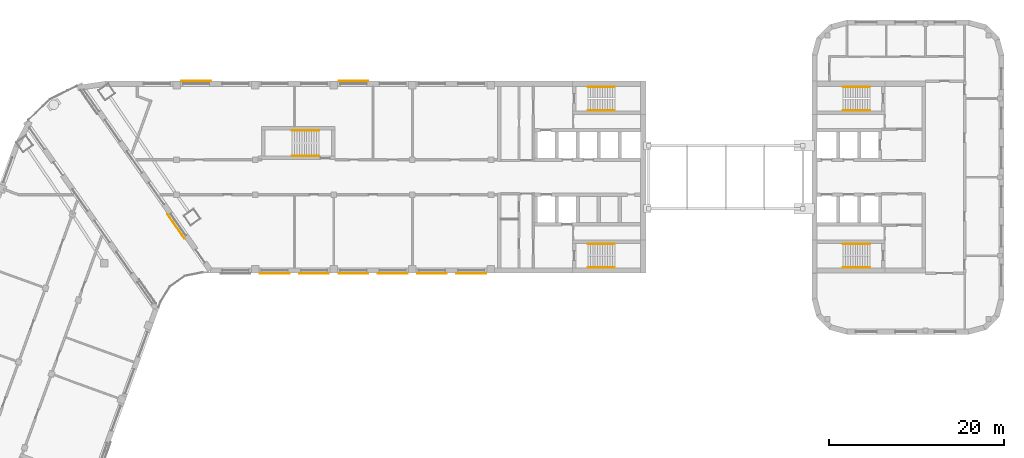
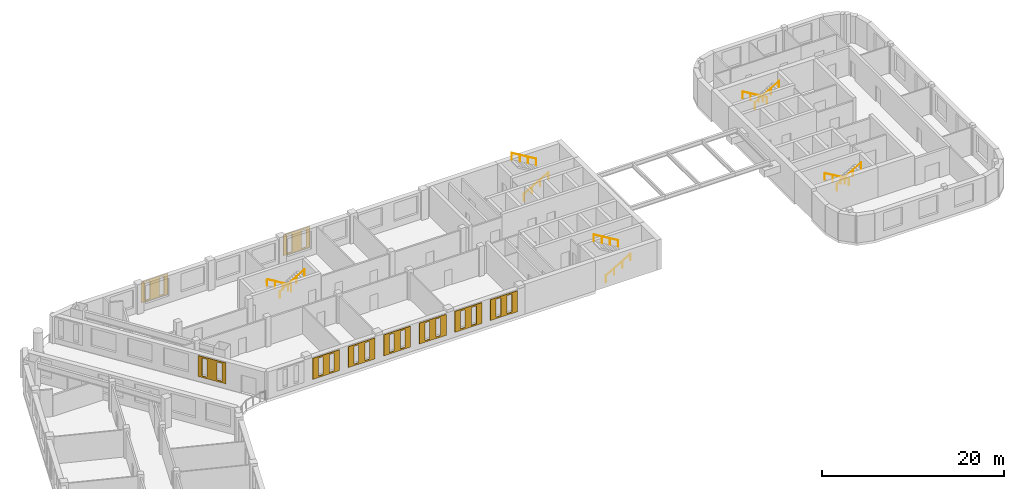
# One storey, part 12 of 14: 10 railings, 9 coverings.
"""IFC4 building model written with IfcOpenShell, lengths in metres."""

import ifcopenshell
import ifcopenshell.guid

model = None  # the IFC model being written
_history = None  # IfcOwnerHistory: only IFC2X3 demands one
_inside = {}  # id of a spatial element -> (the spatial element, [elements in it])
_under = {}  # id of a project, library or spatial element -> (it, [spatial elements below it])
_declared = {}  # id of a project -> (the project, [libraries it declares])
_typed = {}  # id of a type object -> (the type object, [elements of that type])
_made_of = {}  # id of a material, layer set ... -> (it, [elements and type objects made of it])


def new_model(schema):
    """Start an empty IFC model of exactly this schema.

    Asked for "IFC4X3", IfcOpenShell would pick the latest addendum, in which some entities
    have other attributes; the version numbers below select the first issue.
    IFC2X3 requires an IfcOwnerHistory on every rooted entity: one is made here for all.
    """
    global model, _history
    if schema == "IFC4X3":
        model = ifcopenshell.file(schema_version=(4, 3, 0, 0))
    else:
        model = ifcopenshell.file(schema=schema)
    _inside.clear()
    _under.clear()
    _declared.clear()
    _typed.clear()
    _made_of.clear()
    _history = None
    if model.schema == "IFC2X3":
        org = make("IfcOrganization", Name="unknown")
        user = make(
            "IfcPersonAndOrganization",
            ThePerson=make("IfcPerson", FamilyName="unknown"),
            TheOrganization=org,
        )
        app = make(
            "IfcApplication",
            ApplicationDeveloper=org,
            Version="unknown",
            ApplicationFullName="unknown",
            ApplicationIdentifier="unknown",
        )
        _history = make(
            "IfcOwnerHistory",
            OwningUser=user,
            OwningApplication=app,
            ChangeAction="ADDED",
            CreationDate=0,
        )
    return model


def make(cls, **values):
    """One entity of the class cls with the attributes given. An attribute that is None is left unset."""
    return model.create_entity(
        cls, **{name: value for name, value in values.items() if value is not None}
    )


def rooted(cls, **values):
    """An entity with a GlobalId (a new one), such as an element, a storey or a relation."""
    return make(cls, GlobalId=ifcopenshell.guid.new(), OwnerHistory=_history, **values)


def si_unit(unit_type, name, prefix=None):
    """IfcSIUnit, for example si_unit("LENGTHUNIT", "METRE", prefix="MILLI")."""
    return make("IfcSIUnit", UnitType=unit_type, Prefix=prefix, Name=name)


def assignment(units):
    """IfcUnitAssignment: the units of a project."""
    return None if units is None else make("IfcUnitAssignment", Units=units)


def point(xyz):
    """IfcCartesianPoint."""
    return None if xyz is None else make("IfcCartesianPoint", Coordinates=xyz)


def direction(xyz):
    """IfcDirection."""
    return None if xyz is None else make("IfcDirection", DirectionRatios=xyz)


def frame(location, z_axis=None, x_axis=None):
    """IfcAxis2Placement3D, a coordinate frame: its origin and axes. An axis left out is left unset."""
    return make(
        "IfcAxis2Placement3D",
        Location=point(location),
        Axis=direction(z_axis),
        RefDirection=direction(x_axis),
    )


def frame_2d(location, x_axis=None):
    """IfcAxis2Placement2D, a coordinate frame in the plane: its origin and x axis."""
    return make(
        "IfcAxis2Placement2D", Location=point(location), RefDirection=direction(x_axis)
    )


def origin():
    """The frame at (0, 0, 0) with its axes left unset."""
    return frame((0.0, 0.0, 0.0))


def origin_2d():
    """The frame at (0, 0) in the plane with its x axis left unset."""
    return frame_2d((0.0, 0.0))


def place(relative_to, where):
    """IfcLocalPlacement: puts the frame where relative to a parent placement (None: the world)."""
    return make(
        "IfcLocalPlacement", PlacementRelTo=relative_to, RelativePlacement=where
    )


def context(
    kind, dimensions, precision=None, world=None, true_north=None, identifier=None
):
    """IfcGeometricRepresentationContext, for example the 3D "Model" context."""
    return make(
        "IfcGeometricRepresentationContext",
        ContextIdentifier=identifier,
        ContextType=kind,
        CoordinateSpaceDimension=dimensions,
        Precision=precision,
        WorldCoordinateSystem=world,
        TrueNorth=true_north,
    )


def subcontext(parent, identifier, kind, view, scale=None):
    """IfcGeometricRepresentationSubContext, for example "Body" below "Model"."""
    return make(
        "IfcGeometricRepresentationSubContext",
        ContextIdentifier=identifier,
        ContextType=kind,
        ParentContext=parent,
        TargetScale=scale,
        TargetView=view,
    )


def project(units=None, contexts=None):
    """IfcProject with its units and contexts."""
    return rooted(
        "IfcProject",
        Name="project",
        RepresentationContexts=contexts,
        UnitsInContext=assignment(units),
    )


def spatial(cls, under=None, at=None, **own):
    """A site, building, storey or space (cls), placed at a placement, below another one or the project."""
    s = rooted(cls, ObjectPlacement=at, **own)
    if under is not None:
        _under.setdefault(under.id(), (under, []))[1].append(s)
    return s


def polyline(points):
    """IfcPolyline through the points."""
    return make("IfcPolyline", Points=[point(p) for p in points])


def profile(cls, at=None, kind="AREA", **sizes):
    """A parametric profile (cls). Its sizes go by their IFC names, for example OverallWidth=200.0."""
    return make(cls, ProfileType=kind, Position=at, **sizes)


def circle(**sizes):
    """IfcCircleProfileDef."""
    return profile("IfcCircleProfileDef", **sizes)


def outline(outer, holes=None, kind="AREA"):
    """IfcArbitraryClosedProfileDef: a profile drawn as a closed curve; with holes, ...WithVoids."""
    if holes is None:
        return make("IfcArbitraryClosedProfileDef", ProfileType=kind, OuterCurve=outer)
    return make(
        "IfcArbitraryProfileDefWithVoids",
        ProfileType=kind,
        OuterCurve=outer,
        InnerCurves=holes,
    )


def extrude(swept, where, along, depth):
    """IfcExtrudedAreaSolid: the profile swept, set in the frame where, extruded along a direction by depth."""
    return make(
        "IfcExtrudedAreaSolid",
        SweptArea=swept,
        Position=where,
        ExtrudedDirection=direction(along),
        Depth=depth,
    )


def shape(context_of_items, identifier, shape_type, items):
    """IfcShapeRepresentation: the items that make up one representation, for example the "Body"."""
    return make(
        "IfcShapeRepresentation",
        ContextOfItems=context_of_items,
        RepresentationIdentifier=identifier,
        RepresentationType=shape_type,
        Items=items,
    )


def material(Name=None, Category=None):
    """IfcMaterial."""
    return make("IfcMaterial", Name=Name, Category=Category)


def material_profile(
    of_material, cross_section, Name=None, Category=None, Priority=None
):
    """IfcMaterialProfile: a cross section and its material."""
    return make(
        "IfcMaterialProfile",
        Name=Name,
        Material=of_material,
        Profile=cross_section,
        Priority=Priority,
        Category=Category,
    )


def profile_set(profiles, Name=None, composite=None):
    """IfcMaterialProfileSet."""
    return make(
        "IfcMaterialProfileSet",
        Name=Name,
        MaterialProfiles=profiles,
        CompositeProfile=composite,
    )


def made_of(thing, what):
    """Note that an element or type object is made of a material, layer set ...; save() writes the relation."""
    if what is not None:
        _made_of.setdefault(what.id(), (what, []))[1].append(thing)
    return thing


def type_object(cls, material=None, **own):
    """A type object (cls), such as IfcWallType, which elements share."""
    return made_of(rooted(cls, **own), material)


def element(
    cls,
    number,
    at=None,
    inside=None,
    cuts=None,
    type_object=None,
    material=None,
    context=None,
    identifier="Body",
    shape_type=None,
    held_by="IfcProductDefinitionShape",
    body=None,
    shapes=None,
    **own,
):
    """One element of the class cls, such as IfcWall. Its Tag is "e" and its number.

    at: its placement. inside: the storey or other place that contains it. cuts: it is an
    opening in that element (IfcRelVoidsElement). A single representation is given by context,
    identifier, shape_type and body (its items); several are given by shapes. held_by: the class
    of the entity that holds the representations. save() writes the other relations.
    """
    e = rooted(cls, Tag="e%d" % number, ObjectPlacement=at, **own)
    if body is not None:
        shapes = [shape(context, identifier, shape_type, body)]
    if shapes is not None:
        e.Representation = make(held_by, Representations=shapes)
    if inside is not None:
        _inside.setdefault(inside.id(), (inside, []))[1].append(e)
    if cuts is not None:
        rooted(
            "IfcRelVoidsElement", RelatingBuildingElement=cuts, RelatedOpeningElement=e
        )
    if type_object is not None:
        _typed.setdefault(type_object.id(), (type_object, []))[1].append(e)
    return made_of(e, material)


def aggregate(whole, parts):
    """IfcRelAggregates: a whole, such as a stair, and the parts it consists of."""
    return rooted("IfcRelAggregates", RelatingObject=whole, RelatedObjects=parts)


def save(model, path):
    """Write the relations noted so far, then the file.

    IfcRelAggregates (storeys below a building ...), IfcRelContainedInSpatialStructure (elements
    in a storey), IfcRelDefinesByType, IfcRelAssociatesMaterial and IfcRelDeclares: one each for
    every whole, place, type object, material and project.
    """
    for whole, parts in _under.values():
        aggregate(whole, parts)
    for where, things in _inside.values():
        rooted(
            "IfcRelContainedInSpatialStructure",
            RelatedElements=things,
            RelatingStructure=where,
        )
    for kind, things in _typed.values():
        rooted("IfcRelDefinesByType", RelatedObjects=things, RelatingType=kind)
    for what, things in _made_of.values():
        rooted("IfcRelAssociatesMaterial", RelatedObjects=things, RelatingMaterial=what)
    for by, libraries in _declared.values():
        rooted("IfcRelDeclares", RelatingContext=by, RelatedDefinitions=libraries)
    model.write(path)


model = new_model("IFC4")

# Units and contexts
model_context = context("Model", 3, precision=1e-05, world=origin(), true_north=direction((0.0, 1.0)))
body_context = subcontext(model_context, "Body", "Model", "MODEL_VIEW")
ifc_project = project(units=[si_unit("LENGTHUNIT", "METRE"), si_unit("AREAUNIT", "SQUARE_METRE"), si_unit("VOLUMEUNIT", "CUBIC_METRE"), si_unit("PLANEANGLEUNIT", "RADIAN"), si_unit("MASSUNIT", "GRAM", prefix="KILO")], contexts=[model_context])

# Site, building, storey
site_placement = place(None, origin())
site = spatial("IfcSite", under=ifc_project, at=site_placement, CompositionType="ELEMENT")
building_placement = place(site_placement, origin())
building = spatial("IfcBuilding", under=site, at=building_placement, Name="Skarvind Civic Tower", CompositionType="ELEMENT")
storey_placement = place(building_placement, frame((0.0, 0.0, 105.0)))
storey = spatial("IfcBuildingStorey", under=building, at=storey_placement, Name="L24", CompositionType="ELEMENT", Elevation=105.0)

# Railings
ifc_material_1 = material(Name="Painted steel handrail", Category="steel")
railing_type = type_object("IfcRailingType", Name="Stair handrail 900", PredefinedType="HANDRAIL", material=ifc_material_1)
railing_1_placement = place(storey_placement, frame((101.35009765625, 135.64990234375, 0.166748046875)))
element("IfcRailing", 1, at=railing_1_placement, inside=storey, type_object=railing_type, Name="Stair handrail", PredefinedType="HANDRAIL", context=body_context, shape_type="SweptSolid", body=[
    extrude(circle(Radius=0.02392578125, at=origin_2d()), frame((0.0, 0.0, 0.8759765625), z_axis=(0.859290745958, 0.0, 0.51148745235), x_axis=(0.0, 1.0, 0.0)), (0.0, 0.0, 1.0), 3.584228515625),
    extrude(circle(Radius=0.02099609375, at=origin_2d()), origin(), (0.0, 0.0, 1.0), 0.851806640625),
    extrude(circle(Radius=0.02099609375, at=origin_2d()), frame((1.026611328125, 0.0, 0.611083984375)), (0.0, 0.0, 1.0), 0.851806640625),
    extrude(circle(Radius=0.02099609375, at=origin_2d()), frame((2.05322265625, 0.0, 1.22216796875)), (0.0, 0.0, 1.0), 0.851806640625),
    extrude(circle(Radius=0.02099609375, at=origin_2d()), frame((3.079833984375, 0.0, 1.833251953125)), (0.0, 0.0, 1.0), 0.851806640625),
])
railing_2_placement = place(storey_placement, frame((104.429931640625, 138.35009765625, 2.166748046875)))
element("IfcRailing", 2, at=railing_2_placement, inside=storey, type_object=railing_type, Name="Stair handrail", PredefinedType="HANDRAIL", context=body_context, shape_type="SweptSolid", body=[
    extrude(circle(Radius=0.02392578125, at=origin_2d()), frame((0.0, 0.0, 0.8759765625), z_axis=(-0.859290745958, 0.0, 0.51148745235), x_axis=(0.0, -1.0, 0.0)), (0.0, 0.0, 1.0), 3.584228515625),
    extrude(circle(Radius=0.02099609375, at=origin_2d()), origin(), (0.0, 0.0, 1.0), 0.851806640625),
    extrude(circle(Radius=0.02099609375, at=origin_2d()), frame((-1.026611328125, 0.0, 0.611083984375)), (0.0, 0.0, 1.0), 0.851806640625),
    extrude(circle(Radius=0.02099609375, at=origin_2d()), frame((-2.05322265625, 0.0, 1.22216796875)), (0.0, 0.0, 1.0), 0.851806640625),
    extrude(circle(Radius=0.02099609375, at=origin_2d()), frame((-3.079833984375, 0.0, 1.833251953125)), (0.0, 0.0, 1.0), 0.851806640625),
])
railing_3_placement = place(storey_placement, frame((101.35009765625, 117.64990234375, 0.166748046875)))
element("IfcRailing", 3, at=railing_3_placement, inside=storey, type_object=railing_type, Name="Stair handrail", PredefinedType="HANDRAIL", context=body_context, shape_type="SweptSolid", body=[
    extrude(circle(Radius=0.02392578125, at=origin_2d()), frame((0.0, 0.0, 0.8759765625), z_axis=(0.859290745958, 0.0, 0.51148745235), x_axis=(0.0, 1.0, 0.0)), (0.0, 0.0, 1.0), 3.584228515625),
    extrude(circle(Radius=0.02099609375, at=origin_2d()), origin(), (0.0, 0.0, 1.0), 0.851806640625),
    extrude(circle(Radius=0.02099609375, at=origin_2d()), frame((1.026611328125, 0.0, 0.611083984375)), (0.0, 0.0, 1.0), 0.851806640625),
    extrude(circle(Radius=0.02099609375, at=origin_2d()), frame((2.05322265625, 0.0, 1.22216796875)), (0.0, 0.0, 1.0), 0.851806640625),
    extrude(circle(Radius=0.02099609375, at=origin_2d()), frame((3.079833984375, 0.0, 1.833251953125)), (0.0, 0.0, 1.0), 0.851806640625),
])
for number, where, name in (
    (4, (104.429931640625, 120.35009765625, 2.166748046875), "Stair handrail"),
    (5, (133.64990234375, 120.35009765625, 0.166748046875), "Stair handrail"),
):
    element("IfcRailing", number, at=place(storey_placement, frame(where)), inside=storey, type_object=railing_type, Name=name, PredefinedType="HANDRAIL", context=body_context, shape_type="SweptSolid", body=[
        extrude(circle(Radius=0.02392578125, at=origin_2d()), frame((0.0, 0.0, 0.8759765625), z_axis=(-0.859290745958, 0.0, 0.51148745235), x_axis=(0.0, -1.0, 0.0)), (0.0, 0.0, 1.0), 3.584228515625),
        extrude(circle(Radius=0.02099609375, at=origin_2d()), origin(), (0.0, 0.0, 1.0), 0.851806640625),
        extrude(circle(Radius=0.02099609375, at=origin_2d()), frame((-1.026611328125, 0.0, 0.611083984375)), (0.0, 0.0, 1.0), 0.851806640625),
        extrude(circle(Radius=0.02099609375, at=origin_2d()), frame((-2.05322265625, 0.0, 1.22216796875)), (0.0, 0.0, 1.0), 0.851806640625),
        extrude(circle(Radius=0.02099609375, at=origin_2d()), frame((-3.079833984375, 0.0, 1.833251953125)), (0.0, 0.0, 1.0), 0.851806640625),
    ])
railing_4_placement = place(storey_placement, frame((130.570068359375, 117.64990234375, 2.166748046875)))
element("IfcRailing", 6, at=railing_4_placement, inside=storey, type_object=railing_type, Name="Stair handrail", PredefinedType="HANDRAIL", context=body_context, shape_type="SweptSolid", body=[
    extrude(circle(Radius=0.02392578125, at=origin_2d()), frame((0.0, 0.0, 0.8759765625), z_axis=(0.859290745958, 0.0, 0.51148745235), x_axis=(0.0, 1.0, 0.0)), (0.0, 0.0, 1.0), 3.584228515625),
    extrude(circle(Radius=0.02099609375, at=origin_2d()), origin(), (0.0, 0.0, 1.0), 0.851806640625),
    extrude(circle(Radius=0.02099609375, at=origin_2d()), frame((1.026611328125, 0.0, 0.611083984375)), (0.0, 0.0, 1.0), 0.851806640625),
    extrude(circle(Radius=0.02099609375, at=origin_2d()), frame((2.05322265625, 0.0, 1.22216796875)), (0.0, 0.0, 1.0), 0.851806640625),
    extrude(circle(Radius=0.02099609375, at=origin_2d()), frame((3.079833984375, 0.0, 1.833251953125)), (0.0, 0.0, 1.0), 0.851806640625),
])
railing_5_placement = place(storey_placement, frame((133.64990234375, 138.35009765625, 0.166748046875)))
element("IfcRailing", 7, at=railing_5_placement, inside=storey, type_object=railing_type, Name="Stair handrail", PredefinedType="HANDRAIL", context=body_context, shape_type="SweptSolid", body=[
    extrude(circle(Radius=0.02392578125, at=origin_2d()), frame((0.0, 0.0, 0.8759765625), z_axis=(-0.859290745958, 0.0, 0.51148745235), x_axis=(0.0, -1.0, 0.0)), (0.0, 0.0, 1.0), 3.584228515625),
    extrude(circle(Radius=0.02099609375, at=origin_2d()), origin(), (0.0, 0.0, 1.0), 0.851806640625),
    extrude(circle(Radius=0.02099609375, at=origin_2d()), frame((-1.026611328125, 0.0, 0.611083984375)), (0.0, 0.0, 1.0), 0.851806640625),
    extrude(circle(Radius=0.02099609375, at=origin_2d()), frame((-2.05322265625, 0.0, 1.22216796875)), (0.0, 0.0, 1.0), 0.851806640625),
    extrude(circle(Radius=0.02099609375, at=origin_2d()), frame((-3.079833984375, 0.0, 1.833251953125)), (0.0, 0.0, 1.0), 0.851806640625),
])
railing_6_placement = place(storey_placement, frame((130.570068359375, 135.64990234375, 2.166748046875)))
element("IfcRailing", 8, at=railing_6_placement, inside=storey, type_object=railing_type, Name="Stair handrail", PredefinedType="HANDRAIL", context=body_context, shape_type="SweptSolid", body=[
    extrude(circle(Radius=0.02392578125, at=origin_2d()), frame((0.0, 0.0, 0.8759765625), z_axis=(0.859290745958, 0.0, 0.51148745235), x_axis=(0.0, 1.0, 0.0)), (0.0, 0.0, 1.0), 3.584228515625),
    extrude(circle(Radius=0.02099609375, at=origin_2d()), origin(), (0.0, 0.0, 1.0), 0.851806640625),
    extrude(circle(Radius=0.02099609375, at=origin_2d()), frame((1.026611328125, 0.0, 0.611083984375)), (0.0, 0.0, 1.0), 0.851806640625),
    extrude(circle(Radius=0.02099609375, at=origin_2d()), frame((2.05322265625, 0.0, 1.22216796875)), (0.0, 0.0, 1.0), 0.851806640625),
    extrude(circle(Radius=0.02099609375, at=origin_2d()), frame((3.079833984375, 0.0, 1.833251953125)), (0.0, 0.0, 1.0), 0.851806640625),
])
railing_7_placement = place(storey_placement, frame((70.550048828125, 133.35009765625, 0.166748046875)))
element("IfcRailing", 9, at=railing_7_placement, inside=storey, type_object=railing_type, Name="Stair handrail", PredefinedType="HANDRAIL", context=body_context, shape_type="SweptSolid", body=[
    extrude(circle(Radius=0.02392578125, at=origin_2d()), frame((0.0, 0.0, 0.8759765625), z_axis=(-0.859308565015, 0.0, 0.511457515432), x_axis=(0.0, -1.0, 0.0)), (0.0, 0.0, 1.0), 3.58447265625),
    extrude(circle(Radius=0.02099609375, at=origin_2d()), origin(), (0.0, 0.0, 1.0), 0.851806640625),
    extrude(circle(Radius=0.02099609375, at=origin_2d()), frame((-1.026611328125, 0.0, 0.611083984375)), (0.0, 0.0, 1.0), 0.851806640625),
    extrude(circle(Radius=0.02099609375, at=origin_2d()), frame((-2.053466796875, 0.0, 1.22216796875)), (0.0, 0.0, 1.0), 0.851806640625),
    extrude(circle(Radius=0.02099609375, at=origin_2d()), frame((-3.080078125, 0.0, 1.833251953125)), (0.0, 0.0, 1.0), 0.851806640625),
])
railing_8_placement = place(storey_placement, frame((67.469970703125, 130.449951171875, 2.166748046875)))
element("IfcRailing", 10, at=railing_8_placement, inside=storey, type_object=railing_type, Name="Stair handrail", PredefinedType="HANDRAIL", context=body_context, shape_type="SweptSolid", body=[
    extrude(circle(Radius=0.02392578125, at=origin_2d()), frame((0.0, 0.0, 0.8759765625), z_axis=(0.859308565015, 0.0, 0.511457515432), x_axis=(0.0, 1.0, 0.0)), (0.0, 0.0, 1.0), 3.58447265625),
    extrude(circle(Radius=0.02099609375, at=origin_2d()), origin(), (0.0, 0.0, 1.0), 0.851806640625),
    extrude(circle(Radius=0.02099609375, at=origin_2d()), frame((1.026611328125, 0.0, 0.611083984375)), (0.0, 0.0, 1.0), 0.851806640625),
    extrude(circle(Radius=0.02099609375, at=origin_2d()), frame((2.053466796875, 0.0, 1.22216796875)), (0.0, 0.0, 1.0), 0.851806640625),
    extrude(circle(Radius=0.02099609375, at=origin_2d()), frame((3.080078125, 0.0, 1.833251953125)), (0.0, 0.0, 1.0), 0.851806640625),
])

# Coverings
ifc_material_2 = material(Name="Terracotta", Category="masonry")
ifc_material_profile_1 = material_profile(ifc_material_2, outline(polyline([(-1.699951171875, -1.39990234375), (1.699951171875, -1.39990234375), (1.699951171875, 1.39990234375), (-1.699951171875, 1.39990234375), (-1.699951171875, -1.39990234375)]), holes=[polyline([(-1.0, -1.18994140625), (-0.39990234375, -1.18994140625), (-0.39990234375, 1.18994140625), (-1.0, 1.18994140625), (-1.0, -1.18994140625)]), polyline([(0.39990234375, -1.18994140625), (1.0, -1.18994140625), (1.0, 1.18994140625), (0.39990234375, 1.18994140625), (0.39990234375, -1.18994140625)])]), Name="TERRACOTTA SCREEN 3400 x 2800, SLIT PITCH 1400")
ifc_profile_set_1 = profile_set([ifc_material_profile_1], Name="Terracotta")
covering_type_1 = type_object("IfcCoveringType", Name="TERRACOTTA SCREEN 3400 x 2800, SLIT PITCH 1400", PredefinedType="CLADDING", material=ifc_profile_set_1)
for number, where, z_axis, x_axis, name in (
    (11, (88.0, 117.0, 2.10009765625), (0.0, -1.0, 0.0), (1.0, 0.0, 0.0), "TERRACOTTA SCREEN"),
    (12, (83.5, 117.0, 2.10009765625), (0.0, -1.0, 0.0), (1.0, 0.0, 0.0), "TERRACOTTA SCREEN"),
    (13, (79.0, 117.0, 2.10009765625), (0.0, -1.0, 0.0), (1.0, 0.0, 0.0), "TERRACOTTA SCREEN"),
    (14, (74.5, 117.0, 2.10009765625), (0.0, -1.0, 0.0), (1.0, 0.0, 0.0), "TERRACOTTA SCREEN"),
    (15, (70.0, 117.0, 2.10009765625), (0.0, -1.0, 0.0), (1.0, 0.0, 0.0), "TERRACOTTA SCREEN"),
    (16, (65.5, 117.0, 2.10009765625), (0.0, -1.0, 0.0), (1.0, 0.0, 0.0), "TERRACOTTA SCREEN"),
):
    element("IfcCovering", number, at=place(storey_placement, frame(where, z_axis=z_axis, x_axis=x_axis)), inside=storey, type_object=covering_type_1, Name=name, PredefinedType="CLADDING", context=body_context, shape_type="SweptSolid", body=[
        extrude(outline(polyline([(-1.699951171875, -1.39990234375), (1.699951171875, -1.39990234375), (1.699951171875, 1.39990234375), (-1.699951171875, 1.39990234375), (-1.699951171875, -1.39990234375)]), holes=[polyline([(-1.0, -1.18994140625), (-0.39990234375, -1.18994140625), (-0.39990234375, 1.18994140625), (-1.0, 1.18994140625), (-1.0, -1.18994140625)]), polyline([(0.39990234375, -1.18994140625), (1.0, -1.18994140625), (1.0, 1.18994140625), (0.39990234375, 1.18994140625), (0.39990234375, -1.18994140625)])]), origin(), (0.0, 0.0, 1.0), 0.06005859375),
    ])
ifc_material_profile_2 = material_profile(ifc_material_2, outline(polyline([(-1.699951171875, -1.39990234375), (1.699951171875, -1.39990234375), (1.699951171875, 1.39990234375), (-1.699951171875, 1.39990234375), (-1.699951171875, -1.39990234375)]), holes=[polyline([(-1.199951171875, -1.18994140625), (-0.60009765625, -1.18994140625), (-0.60009765625, 1.18994140625), (-1.199951171875, 1.18994140625), (-1.199951171875, -1.18994140625)]), polyline([(0.60009765625, -1.18994140625), (1.199951171875, -1.18994140625), (1.199951171875, 1.18994140625), (0.60009765625, 1.18994140625), (0.60009765625, -1.18994140625)])]), Name="TERRACOTTA SCREEN 3400 x 2800, SLIT PITCH 1800")
ifc_profile_set_2 = profile_set([ifc_material_profile_2], Name="Terracotta")
covering_type_2 = type_object("IfcCoveringType", Name="TERRACOTTA SCREEN 3400 x 2800, SLIT PITCH 1800", PredefinedType="CLADDING", material=ifc_profile_set_2)
for number, where, z_axis, x_axis, name in (
    (17, (54.20703125, 122.38134765625, 2.10009765625), (-0.819994031533, -0.572372071515, 0.0), (0.572372071515, -0.819994031533, 0.0), "TERRACOTTA SCREEN"),
    (18, (56.5, 139.0, 2.10009765625), (0.0, 1.0, 0.0), (-1.0, 0.0, 0.0), "TERRACOTTA SCREEN"),
    (19, (74.5, 139.0, 2.10009765625), (0.0, 1.0, 0.0), (-1.0, 0.0, 0.0), "TERRACOTTA SCREEN"),
):
    element("IfcCovering", number, at=place(storey_placement, frame(where, z_axis=z_axis, x_axis=x_axis)), inside=storey, type_object=covering_type_2, Name=name, PredefinedType="CLADDING", context=body_context, shape_type="SweptSolid", body=[
        extrude(outline(polyline([(-1.699951171875, -1.39990234375), (1.699951171875, -1.39990234375), (1.699951171875, 1.39990234375), (-1.699951171875, 1.39990234375), (-1.699951171875, -1.39990234375)]), holes=[polyline([(-1.199951171875, -1.18994140625), (-0.60009765625, -1.18994140625), (-0.60009765625, 1.18994140625), (-1.199951171875, 1.18994140625), (-1.199951171875, -1.18994140625)]), polyline([(0.60009765625, -1.18994140625), (1.199951171875, -1.18994140625), (1.199951171875, 1.18994140625), (0.60009765625, 1.18994140625), (0.60009765625, -1.18994140625)])]), origin(), (0.0, 0.0, 1.0), 0.06005859375),
    ])

save(model, "model.ifc")
